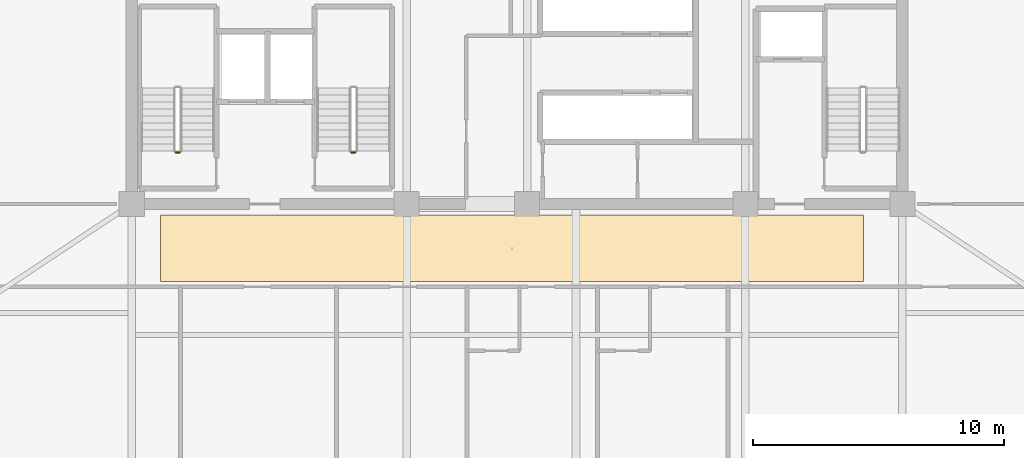
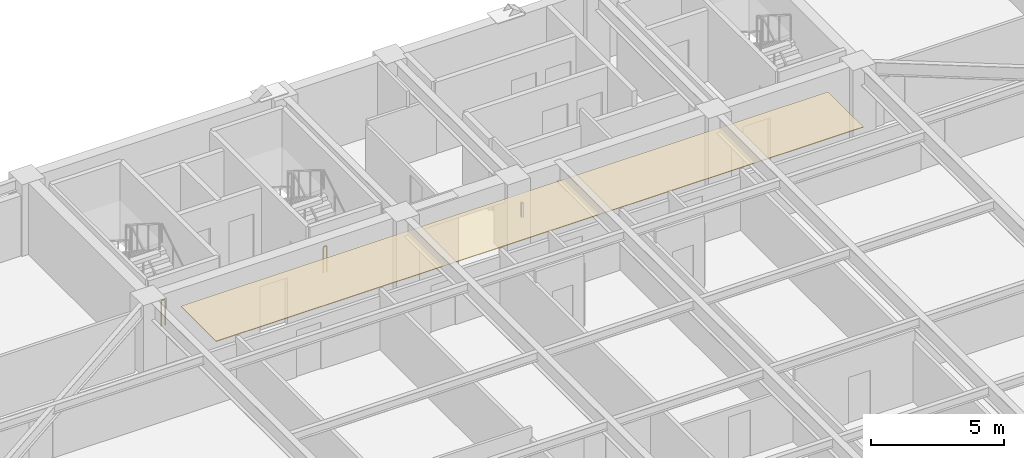
# One storey, part 14 of 17: 2 railings, 1 covering.
"""IFC4 building model written with IfcOpenShell, lengths in metres."""

import ifcopenshell
import ifcopenshell.guid

model = None  # the IFC model being written
_history = None  # IfcOwnerHistory: only IFC2X3 demands one
_inside = {}  # id of a spatial element -> (the spatial element, [elements in it])
_under = {}  # id of a project, library or spatial element -> (it, [spatial elements below it])
_declared = {}  # id of a project -> (the project, [libraries it declares])
_typed = {}  # id of a type object -> (the type object, [elements of that type])
_made_of = {}  # id of a material, layer set ... -> (it, [elements and type objects made of it])


def new_model(schema):
    """Start an empty IFC model of exactly this schema.

    Asked for "IFC4X3", IfcOpenShell would pick the latest addendum, in which some entities
    have other attributes; the version numbers below select the first issue.
    IFC2X3 requires an IfcOwnerHistory on every rooted entity: one is made here for all.
    """
    global model, _history
    if schema == "IFC4X3":
        model = ifcopenshell.file(schema_version=(4, 3, 0, 0))
    else:
        model = ifcopenshell.file(schema=schema)
    _inside.clear()
    _under.clear()
    _declared.clear()
    _typed.clear()
    _made_of.clear()
    _history = None
    if model.schema == "IFC2X3":
        org = make("IfcOrganization", Name="unknown")
        user = make(
            "IfcPersonAndOrganization",
            ThePerson=make("IfcPerson", FamilyName="unknown"),
            TheOrganization=org,
        )
        app = make(
            "IfcApplication",
            ApplicationDeveloper=org,
            Version="unknown",
            ApplicationFullName="unknown",
            ApplicationIdentifier="unknown",
        )
        _history = make(
            "IfcOwnerHistory",
            OwningUser=user,
            OwningApplication=app,
            ChangeAction="ADDED",
            CreationDate=0,
        )
    return model


def make(cls, **values):
    """One entity of the class cls with the attributes given. An attribute that is None is left unset."""
    return model.create_entity(
        cls, **{name: value for name, value in values.items() if value is not None}
    )


def rooted(cls, **values):
    """An entity with a GlobalId (a new one), such as an element, a storey or a relation."""
    return make(cls, GlobalId=ifcopenshell.guid.new(), OwnerHistory=_history, **values)


def si_unit(unit_type, name, prefix=None):
    """IfcSIUnit, for example si_unit("LENGTHUNIT", "METRE", prefix="MILLI")."""
    return make("IfcSIUnit", UnitType=unit_type, Prefix=prefix, Name=name)


def assignment(units):
    """IfcUnitAssignment: the units of a project."""
    return None if units is None else make("IfcUnitAssignment", Units=units)


def point(xyz):
    """IfcCartesianPoint."""
    return None if xyz is None else make("IfcCartesianPoint", Coordinates=xyz)


def direction(xyz):
    """IfcDirection."""
    return None if xyz is None else make("IfcDirection", DirectionRatios=xyz)


def frame(location, z_axis=None, x_axis=None):
    """IfcAxis2Placement3D, a coordinate frame: its origin and axes. An axis left out is left unset."""
    return make(
        "IfcAxis2Placement3D",
        Location=point(location),
        Axis=direction(z_axis),
        RefDirection=direction(x_axis),
    )


def frame_2d(location, x_axis=None):
    """IfcAxis2Placement2D, a coordinate frame in the plane: its origin and x axis."""
    return make(
        "IfcAxis2Placement2D", Location=point(location), RefDirection=direction(x_axis)
    )


def origin():
    """The frame at (0, 0, 0) with its axes left unset."""
    return frame((0.0, 0.0, 0.0))


def origin_2d():
    """The frame at (0, 0) in the plane with its x axis left unset."""
    return frame_2d((0.0, 0.0))


def place(relative_to, where):
    """IfcLocalPlacement: puts the frame where relative to a parent placement (None: the world)."""
    return make(
        "IfcLocalPlacement", PlacementRelTo=relative_to, RelativePlacement=where
    )


def context(
    kind, dimensions, precision=None, world=None, true_north=None, identifier=None
):
    """IfcGeometricRepresentationContext, for example the 3D "Model" context."""
    return make(
        "IfcGeometricRepresentationContext",
        ContextIdentifier=identifier,
        ContextType=kind,
        CoordinateSpaceDimension=dimensions,
        Precision=precision,
        WorldCoordinateSystem=world,
        TrueNorth=true_north,
    )


def subcontext(parent, identifier, kind, view, scale=None):
    """IfcGeometricRepresentationSubContext, for example "Body" below "Model"."""
    return make(
        "IfcGeometricRepresentationSubContext",
        ContextIdentifier=identifier,
        ContextType=kind,
        ParentContext=parent,
        TargetScale=scale,
        TargetView=view,
    )


def project(units=None, contexts=None):
    """IfcProject with its units and contexts."""
    return rooted(
        "IfcProject",
        Name="project",
        RepresentationContexts=contexts,
        UnitsInContext=assignment(units),
    )


def spatial(cls, under=None, at=None, **own):
    """A site, building, storey or space (cls), placed at a placement, below another one or the project."""
    s = rooted(cls, ObjectPlacement=at, **own)
    if under is not None:
        _under.setdefault(under.id(), (under, []))[1].append(s)
    return s


def polyline(points):
    """IfcPolyline through the points."""
    return make("IfcPolyline", Points=[point(p) for p in points])


def profile(cls, at=None, kind="AREA", **sizes):
    """A parametric profile (cls). Its sizes go by their IFC names, for example OverallWidth=200.0."""
    return make(cls, ProfileType=kind, Position=at, **sizes)


def rectangle(**sizes):
    """IfcRectangleProfileDef."""
    return profile("IfcRectangleProfileDef", **sizes)


def outline(outer, holes=None, kind="AREA"):
    """IfcArbitraryClosedProfileDef: a profile drawn as a closed curve; with holes, ...WithVoids."""
    if holes is None:
        return make("IfcArbitraryClosedProfileDef", ProfileType=kind, OuterCurve=outer)
    return make(
        "IfcArbitraryProfileDefWithVoids",
        ProfileType=kind,
        OuterCurve=outer,
        InnerCurves=holes,
    )


def extrude(swept, where, along, depth):
    """IfcExtrudedAreaSolid: the profile swept, set in the frame where, extruded along a direction by depth."""
    return make(
        "IfcExtrudedAreaSolid",
        SweptArea=swept,
        Position=where,
        ExtrudedDirection=direction(along),
        Depth=depth,
    )


def shape(context_of_items, identifier, shape_type, items):
    """IfcShapeRepresentation: the items that make up one representation, for example the "Body"."""
    return make(
        "IfcShapeRepresentation",
        ContextOfItems=context_of_items,
        RepresentationIdentifier=identifier,
        RepresentationType=shape_type,
        Items=items,
    )


def material(Name=None, Category=None):
    """IfcMaterial."""
    return make("IfcMaterial", Name=Name, Category=Category)


def layer(
    of_material, thickness, ventilated=None, Name=None, Category=None, Priority=None
):
    """IfcMaterialLayer: one layer of a wall or slab, of a material (None: an air gap)."""
    return make(
        "IfcMaterialLayer",
        Material=of_material,
        LayerThickness=thickness,
        IsVentilated=ventilated,
        Name=Name,
        Category=Category,
        Priority=Priority,
    )


def layer_set(layers, Name=None):
    """IfcMaterialLayerSet."""
    return make("IfcMaterialLayerSet", MaterialLayers=layers, LayerSetName=Name)


def made_of(thing, what):
    """Note that an element or type object is made of a material, layer set ...; save() writes the relation."""
    if what is not None:
        _made_of.setdefault(what.id(), (what, []))[1].append(thing)
    return thing


def type_object(cls, material=None, **own):
    """A type object (cls), such as IfcWallType, which elements share."""
    return made_of(rooted(cls, **own), material)


def element(
    cls,
    number,
    at=None,
    inside=None,
    cuts=None,
    type_object=None,
    material=None,
    context=None,
    identifier="Body",
    shape_type=None,
    held_by="IfcProductDefinitionShape",
    body=None,
    shapes=None,
    **own,
):
    """One element of the class cls, such as IfcWall. Its Tag is "e" and its number.

    at: its placement. inside: the storey or other place that contains it. cuts: it is an
    opening in that element (IfcRelVoidsElement). A single representation is given by context,
    identifier, shape_type and body (its items); several are given by shapes. held_by: the class
    of the entity that holds the representations. save() writes the other relations.
    """
    e = rooted(cls, Tag="e%d" % number, ObjectPlacement=at, **own)
    if body is not None:
        shapes = [shape(context, identifier, shape_type, body)]
    if shapes is not None:
        e.Representation = make(held_by, Representations=shapes)
    if inside is not None:
        _inside.setdefault(inside.id(), (inside, []))[1].append(e)
    if cuts is not None:
        rooted(
            "IfcRelVoidsElement", RelatingBuildingElement=cuts, RelatedOpeningElement=e
        )
    if type_object is not None:
        _typed.setdefault(type_object.id(), (type_object, []))[1].append(e)
    return made_of(e, material)


def aggregate(whole, parts):
    """IfcRelAggregates: a whole, such as a stair, and the parts it consists of."""
    return rooted("IfcRelAggregates", RelatingObject=whole, RelatedObjects=parts)


def save(model, path):
    """Write the relations noted so far, then the file.

    IfcRelAggregates (storeys below a building ...), IfcRelContainedInSpatialStructure (elements
    in a storey), IfcRelDefinesByType, IfcRelAssociatesMaterial and IfcRelDeclares: one each for
    every whole, place, type object, material and project.
    """
    for whole, parts in _under.values():
        aggregate(whole, parts)
    for where, things in _inside.values():
        rooted(
            "IfcRelContainedInSpatialStructure",
            RelatedElements=things,
            RelatingStructure=where,
        )
    for kind, things in _typed.values():
        rooted("IfcRelDefinesByType", RelatedObjects=things, RelatingType=kind)
    for what, things in _made_of.values():
        rooted("IfcRelAssociatesMaterial", RelatedObjects=things, RelatingMaterial=what)
    for by, libraries in _declared.values():
        rooted("IfcRelDeclares", RelatingContext=by, RelatedDefinitions=libraries)
    model.write(path)


model = new_model("IFC4")

# Units and contexts
model_context = context("Model", 3, precision=1e-05, world=origin(), true_north=direction((0.0, 1.0)))
body_context = subcontext(model_context, "Body", "Model", "MODEL_VIEW")
ifc_project = project(units=[si_unit("LENGTHUNIT", "METRE"), si_unit("AREAUNIT", "SQUARE_METRE"), si_unit("VOLUMEUNIT", "CUBIC_METRE"), si_unit("PLANEANGLEUNIT", "RADIAN"), si_unit("MASSUNIT", "GRAM", prefix="KILO")], contexts=[model_context])

# Site, building, storey
site_placement = place(None, origin())
site = spatial("IfcSite", under=ifc_project, at=site_placement, CompositionType="ELEMENT")
building_placement = place(site_placement, origin())
building = spatial("IfcBuilding", under=site, at=building_placement, Name="Giltprow Tower", CompositionType="ELEMENT")
storey_placement = place(building_placement, frame((0.0, 0.0, 206.199951171875)))
storey = spatial("IfcBuildingStorey", under=building, at=storey_placement, Name="L52", CompositionType="ELEMENT", Elevation=206.199951171875)

# Covering
ifc_material_1 = material(Name="Painted gypsum board", Category="gypsum")
ifc_layer = layer(ifc_material_1, 0.030029296875, Name="Painted gypsum board")
ifc_layer_set = layer_set([ifc_layer], Name="Painted gypsum board")
covering_type = type_object("IfcCoveringType", Name="COV-CLG-GYPSUM", PredefinedType="CEILING", material=ifc_layer_set)
covering_placement = place(storey_placement, frame((0.0, 0.0, 2.6201171875)))
element("IfcCovering", 1, at=covering_placement, inside=storey, type_object=covering_type, Name="L52 Hotel Corridor Gypsum Ceiling", PredefinedType="CEILING", context=body_context, shape_type="SweptSolid", body=[
    extrude(outline(polyline([(21.0, 34.35009765625), (49.0, 34.35009765625), (49.0, 37.0), (21.0, 37.0), (21.0, 34.35009765625)])), origin(), (0.0, 0.0, 1.0), 0.030029296875),
])

# Railings
ifc_material_2 = material(Name="Anodized bronze", Category="metal")
railing_type = type_object("IfcRailingType", Name="RAIL-STAIR-GUARD-1200", PredefinedType="GUARDRAIL", material=ifc_material_2)
for number, where, name in (
    (2, (21.760009765625, 39.5, 0.0), "L52 ST-1 stair guard 4"),
    (3, (28.760009765625, 39.5, 0.0), "L52 ST-2 stair guard 4"),
):
    element("IfcRailing", number, at=place(storey_placement, frame(where)), inside=storey, type_object=railing_type, Name=name, PredefinedType="GUARDRAIL", context=body_context, shape_type="SweptSolid", body=[
        extrude(rectangle(XDim=0.048095703125, YDim=0.048095703125, at=origin_2d()), frame((0.0, 0.0, 1.17578125), z_axis=(-1.0, 0.0, 0.0), x_axis=(0.0, -1.0, 0.0)), (0.0, 0.0, 1.0), 0.159912109375),
        extrude(rectangle(XDim=0.0419921875, YDim=0.0419921875, at=origin_2d()), origin(), (0.0, 0.0, 1.0), 1.15185546875),
        extrude(rectangle(XDim=0.0419921875, YDim=0.0419921875, at=origin_2d()), frame((-0.159912109375, 0.0, 0.0)), (0.0, 0.0, 1.0), 1.15185546875),
    ])

save(model, "model.ifc")
